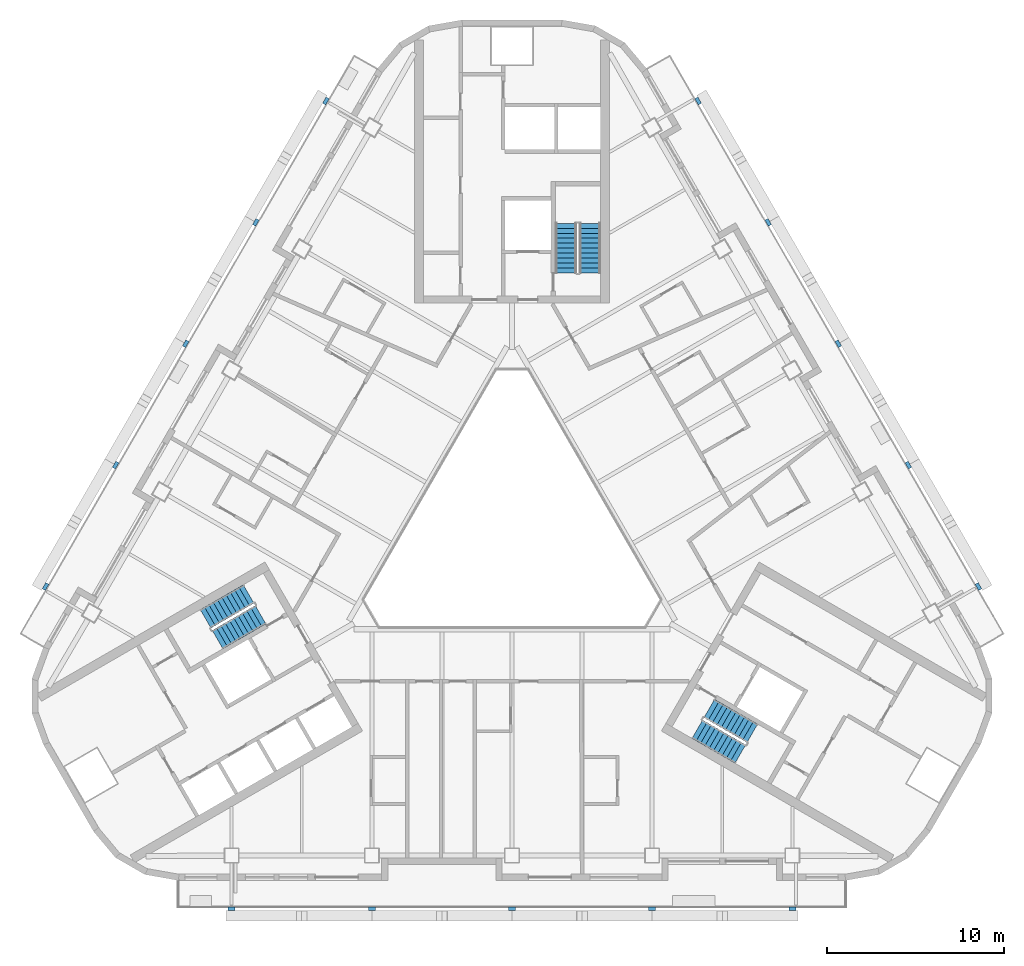
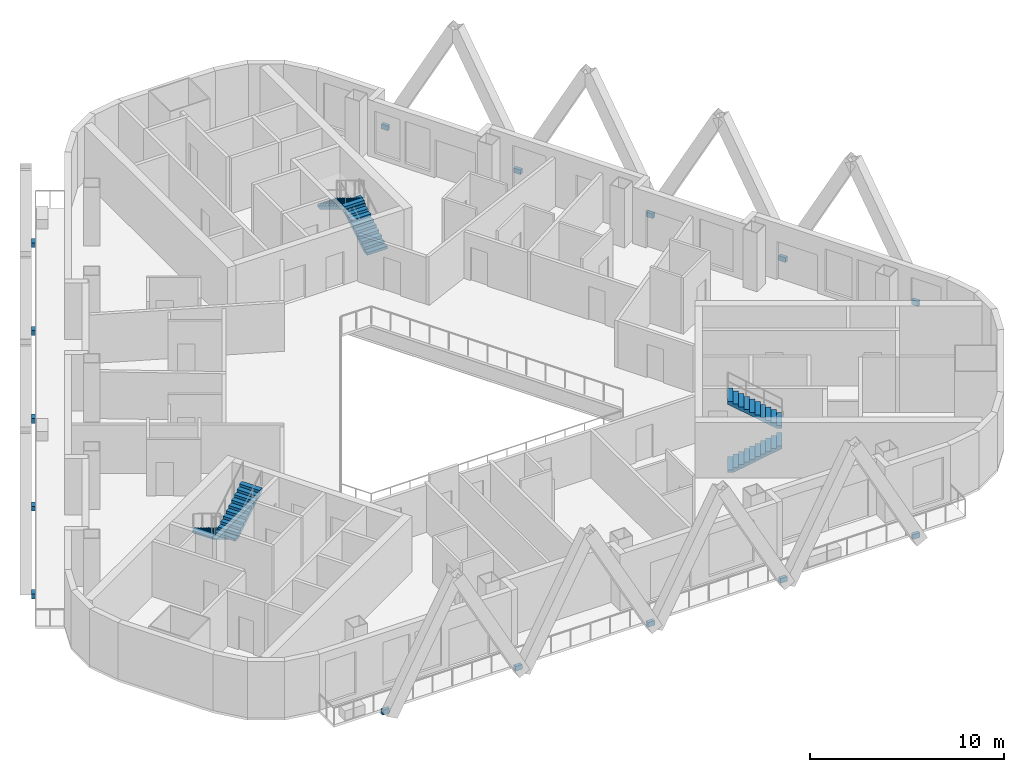
# One storey, part 8 of 14: 15 discrete accessories, 6 stair flights, 3 elements without a shape of their own.
"""IFC4 building model written with IfcOpenShell, lengths in metres."""

from ifc_helpers import new_model, si_unit, direction, frame, origin, origin_2d, place, context, subcontext, project, spatial, polyline, rectangle, outline, extrude, material, type_object, element, aggregate, save


model = new_model("IFC4")

# Units and contexts
model_context = context("Model", 3, precision=1e-05, world=origin(), true_north=direction((0.0, 1.0)))
body_context = subcontext(model_context, "Body", "Model", "MODEL_VIEW")
ifc_project = project(units=[si_unit("LENGTHUNIT", "METRE"), si_unit("AREAUNIT", "SQUARE_METRE"), si_unit("VOLUMEUNIT", "CUBIC_METRE"), si_unit("PLANEANGLEUNIT", "RADIAN"), si_unit("MASSUNIT", "GRAM", prefix="KILO")], contexts=[model_context])

# Site, building, storey
site_placement = place(None, origin())
site = spatial("IfcSite", under=ifc_project, at=site_placement, CompositionType="ELEMENT")
building_placement = place(site_placement, origin())
building = spatial("IfcBuilding", under=site, at=building_placement, Name="Apuvela Tower Hotel", CompositionType="ELEMENT")
storey_placement = place(building_placement, frame((0.0, 0.0, 176.199951171875)))
storey = spatial("IfcBuildingStorey", under=building, at=storey_placement, Name="L42", CompositionType="ELEMENT", Elevation=176.199951171875)

# Stair, stair flights
ifc_material_1 = material(Name="Concrete C50/60", Category="concrete")
stair_type = type_object("IfcStairType", Name="COR-STAIR-22R", PredefinedType="HALF_TURN_STAIR", material=ifc_material_1)
stair_1_placement = place(storey_placement, origin())
stair_1 = element("IfcStair", 1, at=stair_1_placement, inside=storey, type_object=stair_type, Name="L42 Exit stair ST1", PredefinedType="HALF_TURN_STAIR")
stair_flight_type = type_object("IfcStairFlightType", Name="COR-FLIGHT-11R", PredefinedType="STRAIGHT", material=ifc_material_1)
stair_flight_1_placement = place(storey_placement, frame((4.39990234375, 14.60009765625, 0.0), z_axis=(0.0, 0.0, 1.0), x_axis=(0.0, 1.0, 0.0)))
stair_flight_1 = element("IfcStairFlight", 2, at=stair_flight_1_placement, type_object=stair_flight_type, Name="ST1 flight 1", NumberOfRisers=11, NumberOfTreads=10, PredefinedType="STRAIGHT", RiserHeight=0.168181818, TreadLength=0.28, context=body_context, shape_type="SweptSolid", body=[
    extrude(outline(polyline([(0.0, 0.0), (0.0, 0.168212890625), (0.280029296875, 0.168212890625), (0.280029296875, 0.33642578125), (0.56005859375, 0.33642578125), (0.56005859375, 0.504638671875), (0.840087890625, 0.504638671875), (0.840087890625, 0.672607421875), (1.1201171875, 0.672607421875), (1.1201171875, 0.8408203125), (1.39990234375, 0.8408203125), (1.39990234375, 1.009033203125), (1.679931640625, 1.009033203125), (1.679931640625, 1.17724609375), (1.9599609375, 1.17724609375), (1.9599609375, 1.345458984375), (2.239990234375, 1.345458984375), (2.239990234375, 1.513671875), (2.52001953125, 1.513671875), (2.52001953125, 1.681884765625), (2.800048828125, 1.681884765625), (2.800048828125, 1.85009765625), (2.800048828125, 1.5068359375), (0.291015625, 0.0), (0.0, 0.0)])), frame((0.0, 0.60009765625, 0.0), z_axis=(0.0, -1.0, 0.0), x_axis=(1.0, 0.0, 0.0)), (0.0, 0.0, 1.0), 1.199951171875),
])
stair_flight_2_placement = place(storey_placement, frame((3.050048828125, 17.39990234375, 1.85009765625), z_axis=(0.0, 0.0, 1.0), x_axis=(0.0, -1.0, 0.0)))
stair_flight_2 = element("IfcStairFlight", 3, at=stair_flight_2_placement, type_object=stair_flight_type, Name="ST1 flight 2", NumberOfRisers=11, NumberOfTreads=10, PredefinedType="STRAIGHT", RiserHeight=0.168181818, TreadLength=0.28, context=body_context, shape_type="SweptSolid", body=[
    extrude(outline(polyline([(0.0, 0.0), (0.0, 0.168212890625), (0.280029296875, 0.168212890625), (0.280029296875, 0.33642578125), (0.56005859375, 0.33642578125), (0.56005859375, 0.504638671875), (0.840087890625, 0.504638671875), (0.840087890625, 0.672607421875), (1.1201171875, 0.672607421875), (1.1201171875, 0.8408203125), (1.39990234375, 0.8408203125), (1.39990234375, 1.009033203125), (1.679931640625, 1.009033203125), (1.679931640625, 1.17724609375), (1.9599609375, 1.17724609375), (1.9599609375, 1.345458984375), (2.239990234375, 1.345458984375), (2.239990234375, 1.513671875), (2.52001953125, 1.513671875), (2.52001953125, 1.681884765625), (2.800048828125, 1.681884765625), (2.800048828125, 1.85009765625), (2.800048828125, 1.5068359375), (0.291015625, 0.0), (0.0, 0.0)])), frame((0.0, 0.60009765625, 0.0), z_axis=(0.0, -1.0, 0.0), x_axis=(1.0, 0.0, 0.0)), (0.0, 0.0, 1.0), 1.199951171875),
])
aggregate(stair_1, [stair_flight_1, stair_flight_2])

stair_2_placement = place(storey_placement, origin())
stair_2 = element("IfcStair", 4, at=stair_2_placement, inside=storey, type_object=stair_type, Name="L42 Exit stair ST2", PredefinedType="HALF_TURN_STAIR")
stair_flight_3_placement = place(storey_placement, frame((-14.843994140625, -3.489501953125, 0.0), z_axis=(0.0, 0.0, 1.0), x_axis=(-0.866025403784, -0.5, 0.0)))
stair_flight_3 = element("IfcStairFlight", 5, at=stair_flight_3_placement, type_object=stair_flight_type, Name="ST2 flight 1", NumberOfRisers=11, NumberOfTreads=10, PredefinedType="STRAIGHT", RiserHeight=0.168181818, TreadLength=0.28, context=body_context, shape_type="SweptSolid", body=[
    extrude(outline(polyline([(0.0, 0.0), (0.0, 0.168212890625), (0.280029296875, 0.168212890625), (0.280029296875, 0.33642578125), (0.56005859375, 0.33642578125), (0.56005859375, 0.504638671875), (0.840087890625, 0.504638671875), (0.840087890625, 0.672607421875), (1.1201171875, 0.672607421875), (1.1201171875, 0.8408203125), (1.39990234375, 0.8408203125), (1.39990234375, 1.009033203125), (1.679931640625, 1.009033203125), (1.679931640625, 1.17724609375), (1.9599609375, 1.17724609375), (1.9599609375, 1.345458984375), (2.239990234375, 1.345458984375), (2.239990234375, 1.513671875), (2.52001953125, 1.513671875), (2.52001953125, 1.681884765625), (2.800048828125, 1.681884765625), (2.800048828125, 1.85009765625), (2.800048828125, 1.5068359375), (0.291015625, 0.0), (0.0, 0.0)])), frame((0.0, 0.60009765625, 0.0), z_axis=(0.0, -1.0, 0.0), x_axis=(1.0, 0.0, 0.0)), (0.0, 0.0, 1.0), 1.199951171875),
])
stair_flight_4_placement = place(storey_placement, frame((-16.59375, -6.05859375, 1.85009765625), z_axis=(0.0, 0.0, 1.0), x_axis=(0.866025403784, 0.5, 0.0)))
stair_flight_4 = element("IfcStairFlight", 6, at=stair_flight_4_placement, type_object=stair_flight_type, Name="ST2 flight 2", NumberOfRisers=11, NumberOfTreads=10, PredefinedType="STRAIGHT", RiserHeight=0.168181818, TreadLength=0.28, context=body_context, shape_type="SweptSolid", body=[
    extrude(outline(polyline([(0.0, 0.0), (0.0, 0.168212890625), (0.280029296875, 0.168212890625), (0.280029296875, 0.33642578125), (0.56005859375, 0.33642578125), (0.56005859375, 0.504638671875), (0.840087890625, 0.504638671875), (0.840087890625, 0.672607421875), (1.1201171875, 0.672607421875), (1.1201171875, 0.8408203125), (1.39990234375, 0.8408203125), (1.39990234375, 1.009033203125), (1.679931640625, 1.009033203125), (1.679931640625, 1.17724609375), (1.9599609375, 1.17724609375), (1.9599609375, 1.345458984375), (2.239990234375, 1.345458984375), (2.239990234375, 1.513671875), (2.52001953125, 1.513671875), (2.52001953125, 1.681884765625), (2.800048828125, 1.681884765625), (2.800048828125, 1.85009765625), (2.800048828125, 1.5068359375), (0.291015625, 0.0), (0.0, 0.0)])), frame((0.0, 0.60009765625, 0.0), z_axis=(0.0, -1.0, 0.0), x_axis=(1.0, 0.0, 0.0)), (0.0, 0.0, 1.0), 1.199951171875),
])
aggregate(stair_2, [stair_flight_3, stair_flight_4])

stair_3_placement = place(storey_placement, origin())
stair_3 = element("IfcStair", 7, at=stair_3_placement, inside=storey, type_object=stair_type, Name="L42 Exit stair ST3", PredefinedType="HALF_TURN_STAIR")
stair_flight_5_placement = place(storey_placement, frame((10.444091796875, -11.110595703125, 0.0), z_axis=(0.0, 0.0, 1.0), x_axis=(0.866025403784, -0.5, 0.0)))
stair_flight_5 = element("IfcStairFlight", 8, at=stair_flight_5_placement, type_object=stair_flight_type, Name="ST3 flight 1", NumberOfRisers=11, NumberOfTreads=10, PredefinedType="STRAIGHT", RiserHeight=0.168181818, TreadLength=0.28, context=body_context, shape_type="SweptSolid", body=[
    extrude(outline(polyline([(0.0, 0.0), (0.0, 0.168212890625), (0.280029296875, 0.168212890625), (0.280029296875, 0.33642578125), (0.56005859375, 0.33642578125), (0.56005859375, 0.504638671875), (0.840087890625, 0.504638671875), (0.840087890625, 0.672607421875), (1.1201171875, 0.672607421875), (1.1201171875, 0.8408203125), (1.39990234375, 0.8408203125), (1.39990234375, 1.009033203125), (1.679931640625, 1.009033203125), (1.679931640625, 1.17724609375), (1.9599609375, 1.17724609375), (1.9599609375, 1.345458984375), (2.239990234375, 1.345458984375), (2.239990234375, 1.513671875), (2.52001953125, 1.513671875), (2.52001953125, 1.681884765625), (2.800048828125, 1.681884765625), (2.800048828125, 1.85009765625), (2.800048828125, 1.5068359375), (0.291015625, 0.0), (0.0, 0.0)])), frame((0.0, 0.60009765625, 0.0), z_axis=(0.0, -1.0, 0.0), x_axis=(1.0, 0.0, 0.0)), (0.0, 0.0, 1.0), 1.199951171875),
])
stair_flight_6_placement = place(storey_placement, frame((13.5439453125, -11.34130859375, 1.85009765625), z_axis=(0.0, 0.0, 1.0), x_axis=(-0.866025403784, 0.5, 0.0)))
stair_flight_6 = element("IfcStairFlight", 9, at=stair_flight_6_placement, type_object=stair_flight_type, Name="ST3 flight 2", NumberOfRisers=11, NumberOfTreads=10, PredefinedType="STRAIGHT", RiserHeight=0.168181818, TreadLength=0.28, context=body_context, shape_type="SweptSolid", body=[
    extrude(outline(polyline([(0.0, 0.0), (0.0, 0.168212890625), (0.280029296875, 0.168212890625), (0.280029296875, 0.33642578125), (0.56005859375, 0.33642578125), (0.56005859375, 0.504638671875), (0.840087890625, 0.504638671875), (0.840087890625, 0.672607421875), (1.1201171875, 0.672607421875), (1.1201171875, 0.8408203125), (1.39990234375, 0.8408203125), (1.39990234375, 1.009033203125), (1.679931640625, 1.009033203125), (1.679931640625, 1.17724609375), (1.9599609375, 1.17724609375), (1.9599609375, 1.345458984375), (2.239990234375, 1.345458984375), (2.239990234375, 1.513671875), (2.52001953125, 1.513671875), (2.52001953125, 1.681884765625), (2.800048828125, 1.681884765625), (2.800048828125, 1.85009765625), (2.800048828125, 1.5068359375), (0.291015625, 0.0), (0.0, 0.0)])), frame((0.0, 0.60009765625, 0.0), z_axis=(0.0, -1.0, 0.0), x_axis=(1.0, 0.0, 0.0)), (0.0, 0.0, 1.0), 1.199951171875),
])
aggregate(stair_3, [stair_flight_5, stair_flight_6])

# Discrete accessories
ifc_material_2 = material(Name="Steel S355, black paint system", Category="steel")
discrete_accessory_type = type_object("IfcDiscreteAccessoryType", Name="ENV-FIN-BRACKET", PredefinedType="BRACKET", material=ifc_material_2)
for number, where, z_axis, x_axis, name in (
    (10, (26.28564453125, -3.068115234375, -0.25), (0.0, 0.0, 1.0), (-0.5, 0.866025403784, 0.0), "Fin bracket NE78"),
    (11, (22.335693359375, 3.7734375, -0.25), (0.0, 0.0, 1.0), (-0.5, 0.866025403784, 0.0), "Fin bracket NE79"),
    (12, (18.3857421875, 10.614990234375, -0.25), (0.0, 0.0, 1.0), (-0.5, 0.866025403784, 0.0), "Fin bracket NE80"),
    (13, (14.435791015625, 17.45654296875, -0.25), (0.0, 0.0, 1.0), (-0.5, 0.866025403784, 0.0), "Fin bracket NE81"),
    (14, (10.485595703125, 24.298095703125, -0.25), (0.0, 0.0, 1.0), (-0.5, 0.866025403784, 0.0), "Fin bracket NE82"),
    (15, (-10.485595703125, 24.298095703125, -0.25), (0.0, 0.0, 1.0), (-0.5, -0.866025403784, 0.0), "Fin bracket NW227"),
    (16, (-14.435791015625, 17.45654296875, -0.25), (0.0, 0.0, 1.0), (-0.5, -0.866025403784, 0.0), "Fin bracket NW228"),
    (17, (-18.3857421875, 10.614990234375, -0.25), (0.0, 0.0, 1.0), (-0.5, -0.866025403784, 0.0), "Fin bracket NW229"),
    (18, (-22.335693359375, 3.7734375, -0.25), (0.0, 0.0, 1.0), (-0.5, -0.866025403784, 0.0), "Fin bracket NW230"),
    (19, (-26.28564453125, -3.068115234375, -0.25), (0.0, 0.0, 1.0), (-0.5, -0.866025403784, 0.0), "Fin bracket NW231"),
    (20, (-15.800048828125, -21.22998046875, -0.25), (0.0, 0.0, 1.0), (1.0, 0.0, 0.0), "Fin bracket S377"),
    (21, (-7.89990234375, -21.22998046875, -0.25), (0.0, 0.0, 1.0), (1.0, 0.0, 0.0), "Fin bracket S378"),
    (22, (0.0, -21.22998046875, -0.25), (0.0, 0.0, 1.0), (1.0, 0.0, 0.0), "Fin bracket S379"),
    (23, (7.89990234375, -21.22998046875, -0.25), (0.0, 0.0, 1.0), (1.0, 0.0, 0.0), "Fin bracket S380"),
    (24, (15.800048828125, -21.22998046875, -0.25), (0.0, 0.0, 1.0), (1.0, 0.0, 0.0), "Fin bracket S381"),
):
    element("IfcDiscreteAccessory", number, at=place(storey_placement, frame(where, z_axis=z_axis, x_axis=x_axis)), inside=storey, type_object=discrete_accessory_type, Name=name, PredefinedType="BRACKET", context=body_context, shape_type="SweptSolid", body=[
        extrude(rectangle(XDim=0.39990234375, YDim=0.199951171875, at=origin_2d()), origin(), (0.0, 0.0, 1.0), 0.300048828125),
    ])

save(model, "model.ifc")
